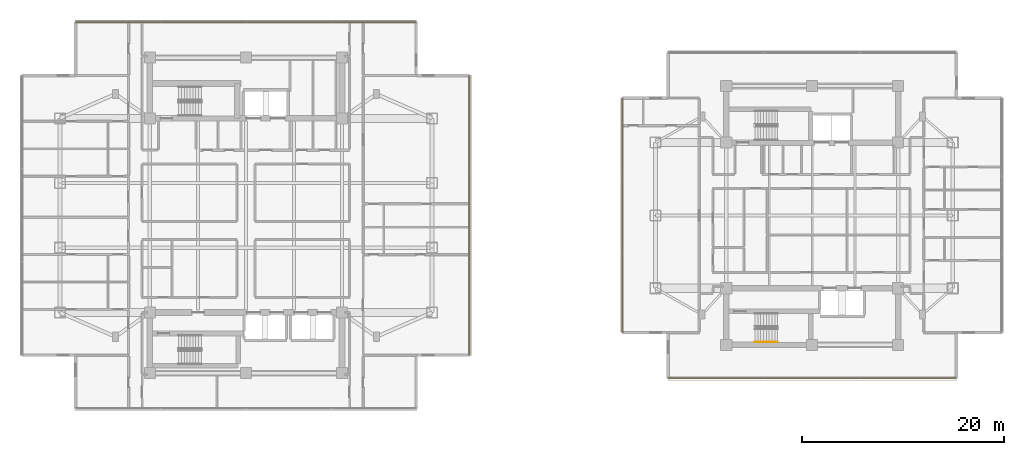
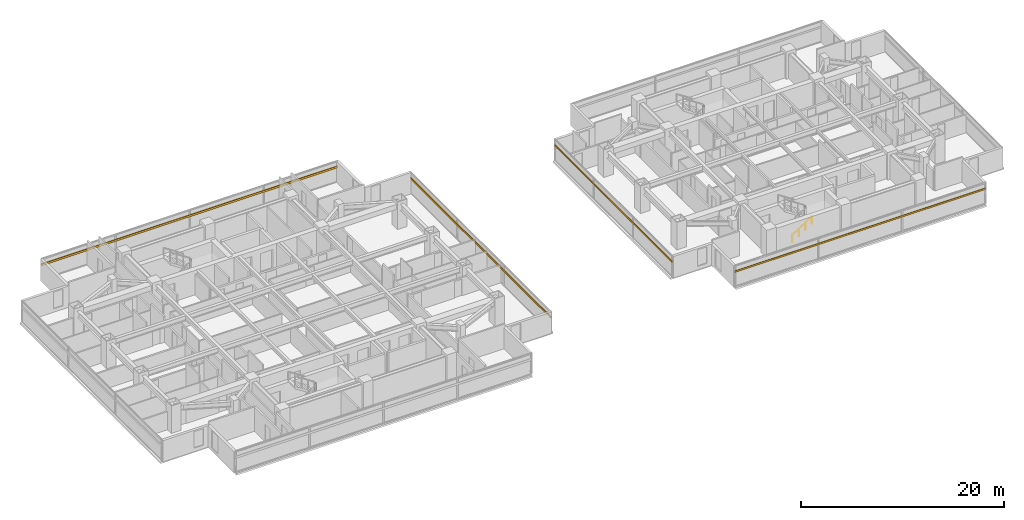
# One storey, part 22 of 24: 4 shading devices, 1 railing.
"""IFC4 building model written with IfcOpenShell, lengths in metres."""

from ifc_helpers import new_model, si_unit, direction, frame, origin, origin_2d, place, context, subcontext, project, spatial, rectangle, circle, extrude, material, material_profile, profile_set, type_object, element, save


model = new_model("IFC4")

# Units and contexts
model_context = context("Model", 3, precision=1e-05, world=origin(), true_north=direction((0.0, 1.0)))
body_context = subcontext(model_context, "Body", "Model", "MODEL_VIEW")
ifc_project = project(units=[si_unit("LENGTHUNIT", "METRE"), si_unit("AREAUNIT", "SQUARE_METRE"), si_unit("VOLUMEUNIT", "CUBIC_METRE"), si_unit("PLANEANGLEUNIT", "RADIAN"), si_unit("MASSUNIT", "GRAM", prefix="KILO")], contexts=[model_context])

# Site, building, storey
site_placement = place(None, origin())
site = spatial("IfcSite", under=ifc_project, at=site_placement, CompositionType="ELEMENT")
building_placement = place(site_placement, origin())
building = spatial("IfcBuilding", under=site, at=building_placement, Name="Mirazonda Arch Towers", CompositionType="ELEMENT")
storey_placement = place(building_placement, frame((0.0, 0.0, 144.5)))
storey = spatial("IfcBuildingStorey", under=building, at=storey_placement, Name="L41", CompositionType="ELEMENT", Elevation=144.5)

# Shading devices
ifc_material_1 = material(Name="Kiln-Fired Architectural Terracotta", Category="masonry")
ifc_material_profile_1 = material_profile(ifc_material_1, rectangle(XDim=0.1201171875, YDim=0.239990234375, at=origin_2d()), Name="TERRA-BAG-120x240")
ifc_profile_set_1 = profile_set([ifc_material_profile_1], Name="Kiln-Fired Architectural Terracotta")
shading_device_type_1 = type_object("IfcShadingDeviceType", Name="BAGUETTE-1", PredefinedType="USERDEFINED", material=ifc_profile_set_1)
shading_device_1_placement = place(storey_placement, frame((42.6201171875, 14.166015625, 1.84326171875), z_axis=(0.0, 1.0, 0.0), x_axis=(-1.0, 0.0, 0.0)))
element("IfcShadingDevice", 1, at=shading_device_1_placement, inside=storey, type_object=shading_device_type_1, Name="L41 Glazed Terracotta Sun-Screen Baguette CW-L41-T1-E", ObjectType="BAGUETTE", PredefinedType="USERDEFINED", context=body_context, shape_type="SweptSolid", body=[
    extrude(rectangle(XDim=0.1201171875, YDim=0.239990234375, at=origin_2d()), origin(), (0.0, 0.0, 1.0), 27.66796875),
])
shading_device_2_placement = place(storey_placement, frame((3.64990234375, 47.10400390625, 1.84326171875), z_axis=(1.0, 0.0, 0.0), x_axis=(0.0, 1.0, 0.0)))
element("IfcShadingDevice", 2, at=shading_device_2_placement, inside=storey, type_object=shading_device_type_1, Name="L41 Glazed Terracotta Sun-Screen Baguette CW-L41-T1-N", ObjectType="BAGUETTE", PredefinedType="USERDEFINED", context=body_context, shape_type="SweptSolid", body=[
    extrude(rectangle(XDim=0.1201171875, YDim=0.239990234375, at=origin_2d()), origin(), (0.0, 0.0, 1.0), 33.7001953125),
])
ifc_material_profile_2 = material_profile(ifc_material_1, rectangle(XDim=0.10009765625, YDim=0.199951171875, at=origin_2d()), Name="TERRA-BAG-100x200")
ifc_profile_set_2 = profile_set([ifc_material_profile_2], Name="Kiln-Fired Architectural Terracotta")
shading_device_type_2 = type_object("IfcShadingDeviceType", Name="BAGUETTE-2", PredefinedType="USERDEFINED", material=ifc_profile_set_2)
shading_device_3_placement = place(storey_placement, frame((90.762451171875, 11.91455078125, 1.84326171875), z_axis=(-1.0, 0.0, 0.0), x_axis=(0.0, -1.0, 0.0)))
element("IfcShadingDevice", 3, at=shading_device_3_placement, inside=storey, type_object=shading_device_type_2, Name="L41 Glazed Terracotta Sun-Screen Baguette CW-L41-T2-S", ObjectType="BAGUETTE", PredefinedType="USERDEFINED", context=body_context, shape_type="SweptSolid", body=[
    extrude(rectangle(XDim=0.10009765625, YDim=0.199951171875, at=origin_2d()), origin(), (0.0, 0.0, 1.0), 28.52490234375),
])
shading_device_4_placement = place(storey_placement, frame((57.7509765625, 39.598876953125, 1.84326171875), z_axis=(0.0, -1.0, 0.0), x_axis=(1.0, 0.0, 0.0)))
element("IfcShadingDevice", 4, at=shading_device_4_placement, inside=storey, type_object=shading_device_type_2, Name="L41 Glazed Terracotta Sun-Screen Baguette CW-L41-T2-W", ObjectType="BAGUETTE", PredefinedType="USERDEFINED", context=body_context, shape_type="SweptSolid", body=[
    extrude(rectangle(XDim=0.10009765625, YDim=0.199951171875, at=origin_2d()), origin(), (0.0, 0.0, 1.0), 23.19775390625),
])

# Railing
ifc_material_2 = material(Name="Architectural Brushed Steel S355", Category="steel")
railing_type = type_object("IfcRailingType", Name="HANDRAIL-915", PredefinedType="HANDRAIL", material=ifc_material_2)
railing_placement = place(storey_placement, frame((70.85009765625, 15.469970703125, 0.183349609375)))
element("IfcRailing", 5, at=railing_placement, inside=storey, type_object=railing_type, Name="L41 ST-T2S stair handrail 1", PredefinedType="HANDRAIL", context=body_context, shape_type="SweptSolid", body=[
    extrude(circle(Radius=0.02392578125, at=origin_2d()), frame((0.0, 0.0, 0.8759765625), z_axis=(0.836636935527, 0.0, 0.547757827979), x_axis=(0.0, 1.0, 0.0)), (0.0, 0.0, 1.0), 2.677490234375),
    extrude(circle(Radius=0.02099609375, at=origin_2d()), origin(), (0.0, 0.0, 1.0), 0.851806640625),
    extrude(circle(Radius=0.02099609375, at=origin_2d()), frame((0.74658203125, 0.0, 0.48876953125)), (0.0, 0.0, 1.0), 0.851806640625),
    extrude(circle(Radius=0.02099609375, at=origin_2d()), frame((1.493408203125, 0.0, 0.977783203125)), (0.0, 0.0, 1.0), 0.851806640625),
    extrude(circle(Radius=0.02099609375, at=origin_2d()), frame((2.239990234375, 0.0, 1.466552734375)), (0.0, 0.0, 1.0), 0.851806640625),
])

save(model, "model.ifc")
